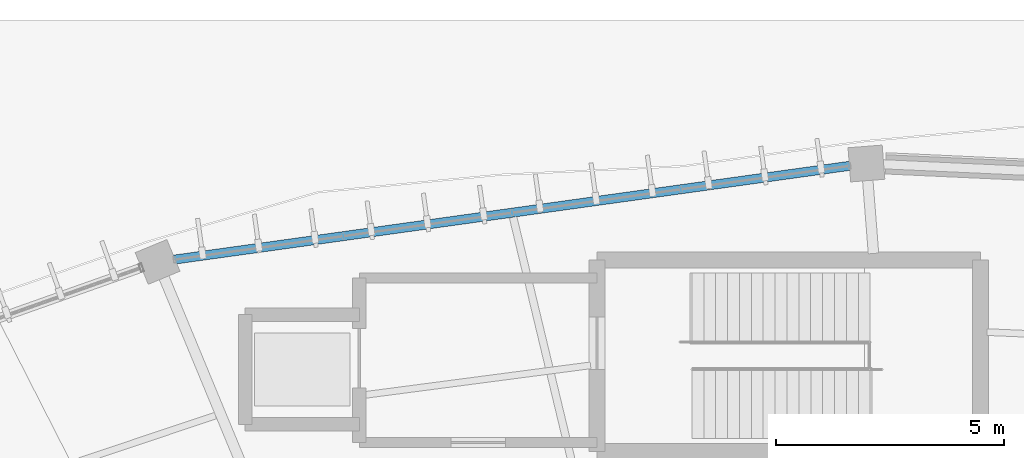
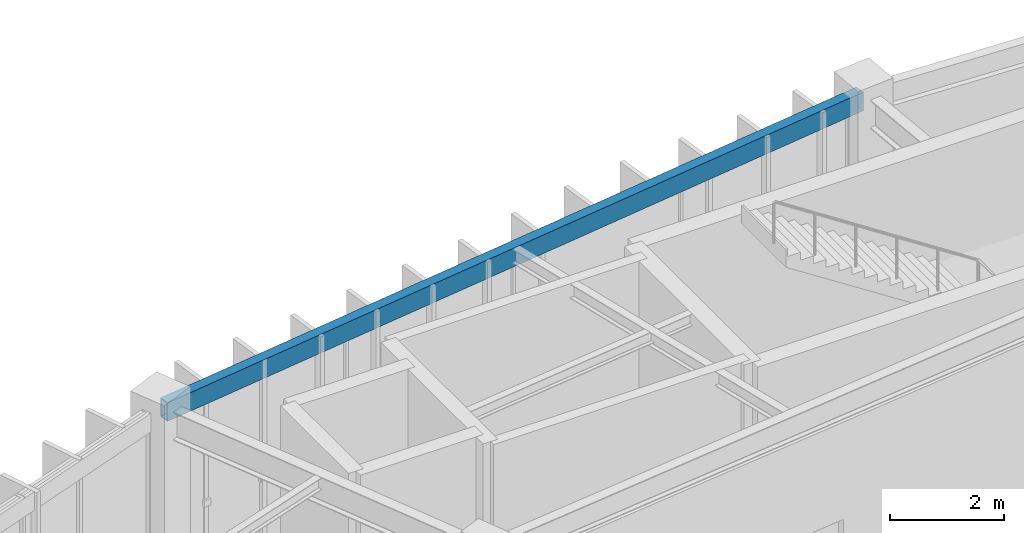
# One storey, part 72 of 157: 1 beam.
"""IFC4 building model written with IfcOpenShell, lengths in metres."""

from ifc_helpers import new_model, si_unit, direction, frame, origin, origin_2d, place, context, subcontext, project, spatial, hollow_rectangle, extrude, material, material_profile, profile_set, type_object, element, save


model = new_model("IFC4")

# Units and contexts
model_context = context("Model", 3, precision=1e-05, world=origin(), true_north=direction((0.0, 1.0)))
body_context = subcontext(model_context, "Body", "Model", "MODEL_VIEW")
ifc_project = project(units=[si_unit("LENGTHUNIT", "METRE"), si_unit("AREAUNIT", "SQUARE_METRE"), si_unit("VOLUMEUNIT", "CUBIC_METRE"), si_unit("PLANEANGLEUNIT", "RADIAN"), si_unit("MASSUNIT", "GRAM", prefix="KILO"), si_unit("THERMODYNAMICTEMPERATUREUNIT", "KELVIN"), si_unit("POWERUNIT", "WATT")], contexts=[model_context])

# Site, building, storey
site_placement = place(None, origin())
site = spatial("IfcSite", under=ifc_project, at=site_placement, CompositionType="ELEMENT")
building_placement = place(site_placement, origin())
building = spatial("IfcBuilding", under=site, at=building_placement, Name="Darbajah Civic Hall", CompositionType="ELEMENT")
storey_placement = place(building_placement, origin())
storey = spatial("IfcBuildingStorey", under=building, at=storey_placement, Name="L00", CompositionType="ELEMENT", Elevation=0.0)

# Beam
ifc_material = material(Name="Steel S355JR", Category="steel")
ifc_material_profile = material_profile(ifc_material, hollow_rectangle(XDim=0.199951171875, YDim=0.39990234375, WallThickness=0.013916015625, at=origin_2d()), Name="RHS 400x200x14")
ifc_profile_set = profile_set([ifc_material_profile], Name="Steel S355JR")
beam_type = type_object("IfcBeamType", Name="RHS 400x200x14", PredefinedType="SPANDREL", material=ifc_profile_set)
beam_placement = place(storey_placement, frame((85.019287109375, 119.197998046875, 4.919921875), z_axis=(-0.990495253006, -0.137546914804, 0.0), x_axis=(0.137546914804, -0.990495253006, 0.0)))
element("IfcBeam", 1, at=beam_placement, inside=storey, type_object=beam_type, Name="L00 beam SP-RHS400", PredefinedType="SPANDREL", context=body_context, shape_type="SweptSolid", body=[
    extrude(hollow_rectangle(XDim=0.199951171875, YDim=0.39990234375, WallThickness=0.013916015625, at=origin_2d()), origin(), (0.0, 0.0, 1.0), 15.50439453125),
])

save(model, "model.ifc")
